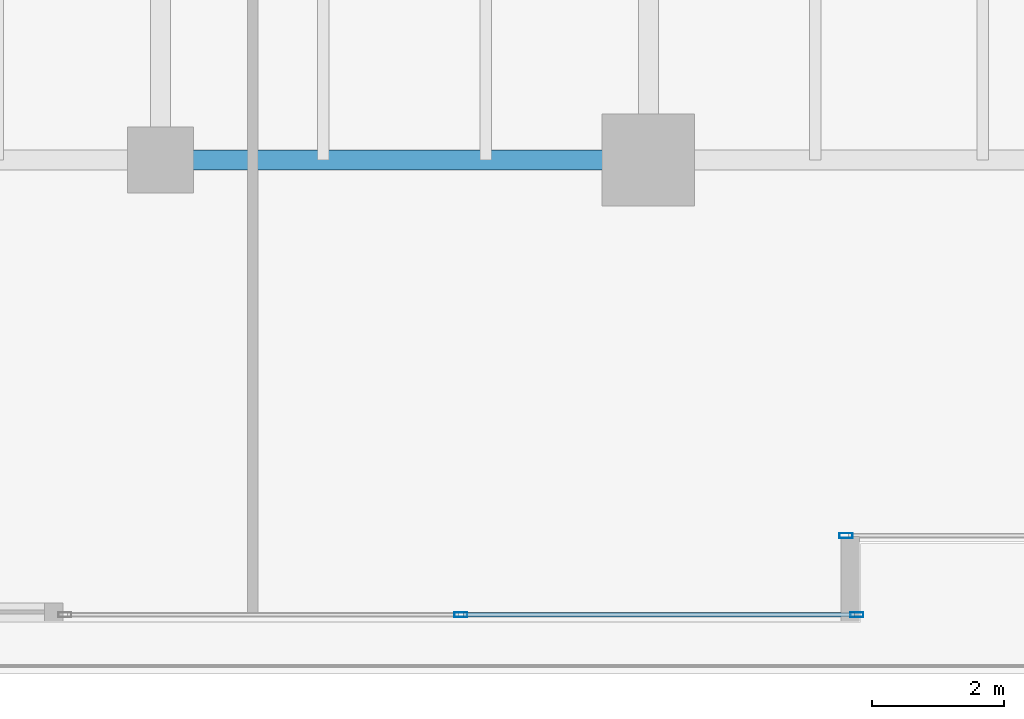
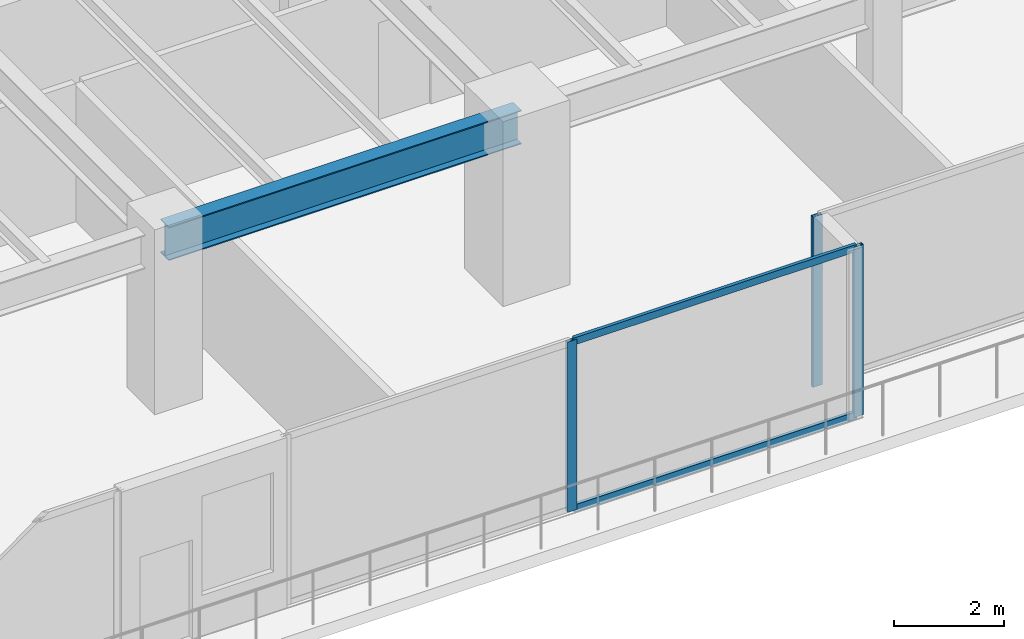
# One storey, part 4 of 36: 5 members, 1 beam, 2 elements without a shape of their own.
"""IFC4 building model written with IfcOpenShell, lengths in metres."""

from ifc_helpers import new_model, si_unit, direction, frame, origin, origin_2d, place, context, subcontext, project, spatial, hollow_rectangle, i_section, extrude, source, transform, mapped, material, layer, layer_set, material_profile, profile_set, type_object, type_shapes, element, aggregate, save


model = new_model("IFC4")

# Units and contexts
model_context = context("Model", 3, precision=1e-05, world=origin(), true_north=direction((0.0, 1.0)))
body_context = subcontext(model_context, "Body", "Model", "MODEL_VIEW")
ifc_project = project(units=[si_unit("LENGTHUNIT", "METRE"), si_unit("AREAUNIT", "SQUARE_METRE"), si_unit("VOLUMEUNIT", "CUBIC_METRE"), si_unit("PLANEANGLEUNIT", "RADIAN"), si_unit("MASSUNIT", "GRAM", prefix="KILO")], contexts=[model_context])

# Site, building, storey
site_placement = place(None, origin())
site = spatial("IfcSite", under=ifc_project, at=site_placement, CompositionType="ELEMENT")
building_placement = place(site_placement, origin())
building = spatial("IfcBuilding", under=site, at=building_placement, Name="Haelvirn Gate Laboratories", CompositionType="ELEMENT")
storey_placement = place(building_placement, frame((0.0, 0.0, 25.199951171875)))
storey = spatial("IfcBuildingStorey", under=building, at=storey_placement, Name="L06", CompositionType="ELEMENT", Elevation=25.199951171875)

# Beam
ifc_material_1 = material(Name="Steel SM355", Category="steel")
ifc_material_profile_1 = material_profile(ifc_material_1, i_section(OverallWidth=0.300048828125, OverallDepth=0.75, WebThickness=0.013916015625, FlangeThickness=0.02392578125, at=origin_2d()), Name="H-750x300x14x24")
ifc_profile_set_1 = profile_set([ifc_material_profile_1], Name="Steel SM355")
beam_type = type_object("IfcBeamType", Name="BM-G-750", PredefinedType="BEAM", material=ifc_profile_set_1)
shared_shape_1 = source(origin(), body_context, "Body", "SweptSolid", [
    extrude(i_section(OverallWidth=0.300048828125, OverallDepth=0.75, WebThickness=0.013916015625, FlangeThickness=0.02392578125, at=origin_2d()), origin(), (0.0, 0.0, 1.0), 7.39990234375),
])
type_shapes(beam_type, [shared_shape_1])
beam_placement = place(storey_placement, frame((14.800048828125, 7.0, 3.405029296875), z_axis=(1.0, 0.0, 0.0), x_axis=(0.0, 1.0, 0.0)))
element("IfcBeam", 1, at=beam_placement, inside=storey, type_object=beam_type, Name="L06 Primary Girder Y7.0 (14.8-22.2)", PredefinedType="BEAM", context=body_context, shape_type="MappedRepresentation", body=[
    mapped(shared_shape_1, transform((0.0, 0.0, 0.0), scale=1.0)),
])

# Curtain wall, members
ifc_material_2 = material(Name="Anodised bronze unitised aluminium & triple low-E glass", Category="aluminium")
ifc_layer = layer(ifc_material_2, 0.18408203125, Name="CW-SYS-2")
ifc_layer_set = layer_set([ifc_layer], Name="Anodised bronze unitised aluminium & triple low-E glass")
curtain_wall_type = type_object("IfcCurtainWallType", Name="CW-SYS-2", PredefinedType="NOTDEFINED", material=ifc_layer_set)
curtain_wall_1_placement = place(storey_placement, origin())
curtain_wall_1 = element("IfcCurtainWall", 2, at=curtain_wall_1_placement, inside=storey, type_object=curtain_wall_type, Name="L06 Unitised Curtain Wall CW-L06-P0-E00-2", PredefinedType="NOTDEFINED")
ifc_material_3 = material(Name="Extruded aluminium 6063-T6 (anodised bronze)", Category="aluminium")
ifc_material_profile_2 = material_profile(ifc_material_3, hollow_rectangle(XDim=0.074951171875, YDim=0.199951171875, WallThickness=0.0048828125, at=origin_2d()), Name="CWM-200x75x5")
ifc_profile_set_2 = profile_set([ifc_material_profile_2], Name="Extruded aluminium 6063-T6 (anodised bronze)")
member_type_1 = type_object("IfcMemberType", Name="CWM-T200", PredefinedType="MULLION", material=ifc_profile_set_2)
shared_shape_2 = source(origin(), body_context, "Body", "SweptSolid", [
    extrude(hollow_rectangle(XDim=0.074951171875, YDim=0.199951171875, WallThickness=0.0048828125, at=origin_2d()), origin(), (0.0, 0.0, 1.0), 3.780029296875),
])
type_shapes(member_type_1, [shared_shape_2])
member_1_placement = place(storey_placement, frame((19.35498046875, 0.10009765625, 0.0), z_axis=(0.0, 0.0, 1.0), x_axis=(0.0, 1.0, 0.0)))
member_1 = element("IfcMember", 3, at=member_1_placement, type_object=member_type_1, Name="CW2 mullion 2", PredefinedType="MULLION", context=body_context, shape_type="MappedRepresentation", body=[
    mapped(shared_shape_2, transform((0.0, 0.0, 0.0), scale=1.0)),
])
member_2_placement = place(storey_placement, frame((25.362548828125, 0.10009765625, 0.0), z_axis=(0.0, 0.0, 1.0), x_axis=(0.0, 1.0, 0.0)))
member_2 = element("IfcMember", 4, at=member_2_placement, type_object=member_type_1, Name="CW2 mullion 3", PredefinedType="MULLION", context=body_context, shape_type="MappedRepresentation", body=[
    mapped(shared_shape_2, transform((0.0, 0.0, 0.0), scale=1.0)),
])

# Curtain wall, member
curtain_wall_2_placement = place(storey_placement, origin())
curtain_wall_2 = element("IfcCurtainWall", 5, at=curtain_wall_2_placement, inside=storey, type_object=curtain_wall_type, Name="L06 Unitised Curtain Wall CW-L06-P0-E02-1", PredefinedType="NOTDEFINED")
member_3_placement = place(storey_placement, frame((25.197509765625, 1.300048828125, 0.0), z_axis=(0.0, 0.0, 1.0), x_axis=(0.0, 1.0, 0.0)))
member_3 = element("IfcMember", 6, at=member_3_placement, type_object=member_type_1, Name="CW2 mullion 1", PredefinedType="MULLION", context=body_context, shape_type="MappedRepresentation", body=[
    mapped(shared_shape_2, transform((0.0, 0.0, 0.0), scale=1.0)),
])
aggregate(curtain_wall_2, [member_3])

# Member
ifc_material_profile_3 = material_profile(ifc_material_3, hollow_rectangle(XDim=0.070068359375, YDim=0.159912109375, WallThickness=0.0048828125, at=origin_2d()), Name="CWT-160x70x5")
ifc_profile_set_3 = profile_set([ifc_material_profile_3], Name="Extruded aluminium 6063-T6 (anodised bronze)")
member_type_2 = type_object("IfcMemberType", Name="CWT-T160", PredefinedType="USERDEFINED", material=ifc_profile_set_3)
shared_shape_3 = source(origin(), body_context, "Body", "SweptSolid", [
    extrude(hollow_rectangle(XDim=0.070068359375, YDim=0.159912109375, WallThickness=0.0048828125, at=origin_2d()), origin(), (0.0, 0.0, 1.0), 5.932373046875),
])
type_shapes(member_type_2, [shared_shape_3])
member_4_placement = place(storey_placement, frame((19.392578125, 0.10009765625, 0.03515625), z_axis=(1.0, 0.0, 0.0), x_axis=(0.0, 1.0, 0.0)))
member_4 = element("IfcMember", 7, at=member_4_placement, type_object=member_type_2, Name="CW2 transom 2.1", ObjectType="TRANSOM", PredefinedType="USERDEFINED", context=body_context, shape_type="MappedRepresentation", body=[
    mapped(shared_shape_3, transform((0.0, 0.0, 0.0), scale=1.0)),
])

member_5_placement = place(storey_placement, frame((19.392578125, 0.10009765625, 3.7451171875), z_axis=(1.0, 0.0, 0.0), x_axis=(0.0, 1.0, 0.0)))
member_5 = element("IfcMember", 8, at=member_5_placement, type_object=member_type_2, Name="CW2 transom 2.2", ObjectType="TRANSOM", PredefinedType="USERDEFINED", context=body_context, shape_type="MappedRepresentation", body=[
    mapped(shared_shape_3, transform((0.0, 0.0, 0.0), scale=1.0)),
])

aggregate(curtain_wall_1, [member_1, member_2, member_4, member_5])

save(model, "model.ifc")
